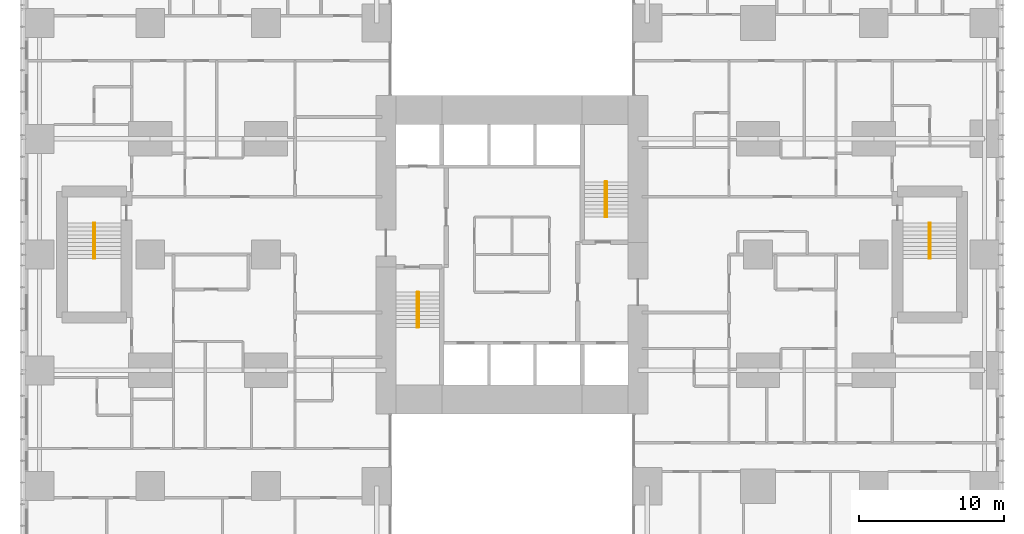
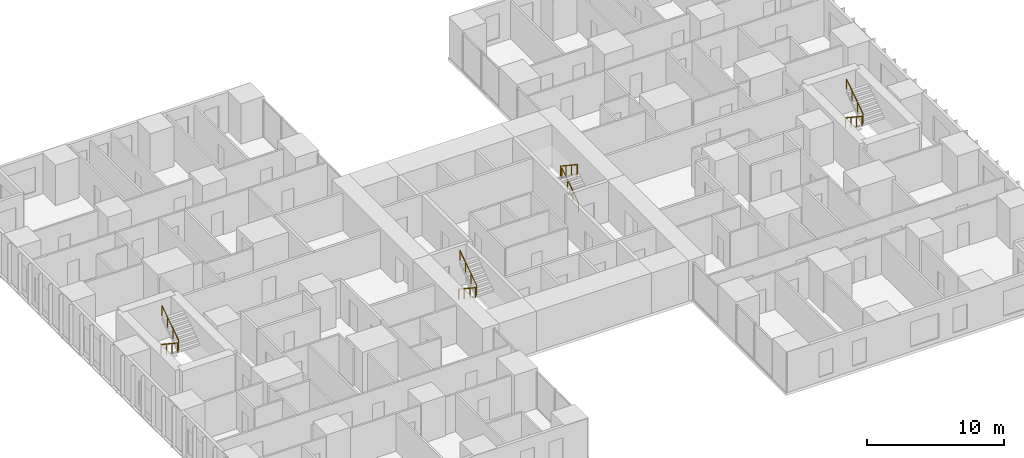
# One storey, part 20 of 20: 8 railings.
"""IFC4 building model written with IfcOpenShell, lengths in metres."""

from ifc_helpers import new_model, si_unit, direction, frame, origin, origin_2d, place, context, subcontext, project, spatial, circle, extrude, material, type_object, element, save


model = new_model("IFC4")

# Units and contexts
model_context = context("Model", 3, precision=1e-05, world=origin(), true_north=direction((0.0, 1.0)))
body_context = subcontext(model_context, "Body", "Model", "MODEL_VIEW")
ifc_project = project(units=[si_unit("LENGTHUNIT", "METRE"), si_unit("AREAUNIT", "SQUARE_METRE"), si_unit("VOLUMEUNIT", "CUBIC_METRE"), si_unit("PLANEANGLEUNIT", "RADIAN"), si_unit("MASSUNIT", "GRAM", prefix="KILO")], contexts=[model_context])

# Site, building, storey
site_placement = place(None, origin())
site = spatial("IfcSite", under=ifc_project, at=site_placement, CompositionType="ELEMENT")
building_placement = place(site_placement, origin())
building = spatial("IfcBuilding", under=site, at=building_placement, Name="Cleftline Residences", CompositionType="ELEMENT")
storey_placement = place(building_placement, frame((0.0, 0.0, 164.60009765625)))
storey = spatial("IfcBuildingStorey", under=building, at=storey_placement, Name="L43", CompositionType="ELEMENT", Elevation=164.60009765625)

# Railings
ifc_material = material(Name="Stainless steel", Category="steel")
railing_type = type_object("IfcRailingType", Name="HANDRAIL 900", PredefinedType="HANDRAIL", material=ifc_material)
railing_1_placement = place(storey_placement, frame((26.449951171875, 21.39990234375, 0.179931640625)))
element("IfcRailing", 1, at=railing_1_placement, inside=storey, type_object=railing_type, Name="Stair handrail", PredefinedType="HANDRAIL", context=body_context, shape_type="SweptSolid", body=[
    extrude(circle(Radius=0.02392578125, at=origin_2d()), frame((0.0, 0.0, 0.8759765625), z_axis=(0.0, -0.832063155534, 0.554680903946), x_axis=(1.0, 0.0, 0.0)), (0.0, 0.0, 1.0), 2.92041015625),
    extrude(circle(Radius=0.02099609375, at=origin_2d()), origin(), (0.0, 0.0, 1.0), 0.851806640625),
    extrude(circle(Radius=0.02099609375, at=origin_2d()), frame((0.0, -0.81005859375, 0.5400390625)), (0.0, 0.0, 1.0), 0.851806640625),
    extrude(circle(Radius=0.02099609375, at=origin_2d()), frame((0.0, -1.619873046875, 1.079833984375)), (0.0, 0.0, 1.0), 0.851806640625),
    extrude(circle(Radius=0.02099609375, at=origin_2d()), frame((0.0, -2.429931640625, 1.619873046875)), (0.0, 0.0, 1.0), 0.851806640625),
])
for number, where, name in (
    (2, (26.550048828125, 18.969970703125, 1.97998046875), "Stair handrail"),
    (3, (39.550048828125, 26.60009765625, 0.179931640625), "Stair handrail"),
):
    element("IfcRailing", number, at=place(storey_placement, frame(where)), inside=storey, type_object=railing_type, Name=name, PredefinedType="HANDRAIL", context=body_context, shape_type="SweptSolid", body=[
        extrude(circle(Radius=0.02392578125, at=origin_2d()), frame((0.0, 0.0, 0.8759765625), z_axis=(0.0, 0.832063155534, 0.554680903946), x_axis=(-1.0, 0.0, 0.0)), (0.0, 0.0, 1.0), 2.92041015625),
        extrude(circle(Radius=0.02099609375, at=origin_2d()), origin(), (0.0, 0.0, 1.0), 0.851806640625),
        extrude(circle(Radius=0.02099609375, at=origin_2d()), frame((0.0, 0.81005859375, 0.5400390625)), (0.0, 0.0, 1.0), 0.851806640625),
        extrude(circle(Radius=0.02099609375, at=origin_2d()), frame((0.0, 1.619873046875, 1.079833984375)), (0.0, 0.0, 1.0), 0.851806640625),
        extrude(circle(Radius=0.02099609375, at=origin_2d()), frame((0.0, 2.429931640625, 1.619873046875)), (0.0, 0.0, 1.0), 0.851806640625),
    ])
for number, where, name in (
    (4, (39.449951171875, 29.030029296875, 1.97998046875), "Stair handrail"),
    (5, (61.824951171875, 26.175048828125, 0.179931640625), "Stair handrail"),
):
    element("IfcRailing", number, at=place(storey_placement, frame(where)), inside=storey, type_object=railing_type, Name=name, PredefinedType="HANDRAIL", context=body_context, shape_type="SweptSolid", body=[
        extrude(circle(Radius=0.02392578125, at=origin_2d()), frame((0.0, 0.0, 0.8759765625), z_axis=(0.0, -0.832063155534, 0.554680903946), x_axis=(1.0, 0.0, 0.0)), (0.0, 0.0, 1.0), 2.92041015625),
        extrude(circle(Radius=0.02099609375, at=origin_2d()), origin(), (0.0, 0.0, 1.0), 0.851806640625),
        extrude(circle(Radius=0.02099609375, at=origin_2d()), frame((0.0, -0.81005859375, 0.5400390625)), (0.0, 0.0, 1.0), 0.851806640625),
        extrude(circle(Radius=0.02099609375, at=origin_2d()), frame((0.0, -1.619873046875, 1.079833984375)), (0.0, 0.0, 1.0), 0.851806640625),
        extrude(circle(Radius=0.02099609375, at=origin_2d()), frame((0.0, -2.429931640625, 1.619873046875)), (0.0, 0.0, 1.0), 0.851806640625),
    ])
railing_2_placement = place(storey_placement, frame((61.925048828125, 23.7451171875, 1.97998046875)))
element("IfcRailing", 6, at=railing_2_placement, inside=storey, type_object=railing_type, Name="Stair handrail", PredefinedType="HANDRAIL", context=body_context, shape_type="SweptSolid", body=[
    extrude(circle(Radius=0.02392578125, at=origin_2d()), frame((0.0, 0.0, 0.8759765625), z_axis=(0.0, 0.832063155534, 0.554680903946), x_axis=(-1.0, 0.0, 0.0)), (0.0, 0.0, 1.0), 2.92041015625),
    extrude(circle(Radius=0.02099609375, at=origin_2d()), origin(), (0.0, 0.0, 1.0), 0.851806640625),
    extrude(circle(Radius=0.02099609375, at=origin_2d()), frame((0.0, 0.81005859375, 0.5400390625)), (0.0, 0.0, 1.0), 0.851806640625),
    extrude(circle(Radius=0.02099609375, at=origin_2d()), frame((0.0, 1.619873046875, 1.079833984375)), (0.0, 0.0, 1.0), 0.851806640625),
    extrude(circle(Radius=0.02099609375, at=origin_2d()), frame((0.0, 2.429931640625, 1.619873046875)), (0.0, 0.0, 1.0), 0.851806640625),
])
railing_3_placement = place(storey_placement, frame((4.074951171875, 26.175048828125, 0.179931640625)))
element("IfcRailing", 7, at=railing_3_placement, inside=storey, type_object=railing_type, Name="Stair handrail", PredefinedType="HANDRAIL", context=body_context, shape_type="SweptSolid", body=[
    extrude(circle(Radius=0.02392578125, at=origin_2d()), frame((0.0, 0.0, 0.8759765625), z_axis=(0.0, -0.832063155534, 0.554680903946), x_axis=(1.0, 0.0, 0.0)), (0.0, 0.0, 1.0), 2.92041015625),
    extrude(circle(Radius=0.02099609375, at=origin_2d()), origin(), (0.0, 0.0, 1.0), 0.851806640625),
    extrude(circle(Radius=0.02099609375, at=origin_2d()), frame((0.0, -0.81005859375, 0.5400390625)), (0.0, 0.0, 1.0), 0.851806640625),
    extrude(circle(Radius=0.02099609375, at=origin_2d()), frame((0.0, -1.619873046875, 1.079833984375)), (0.0, 0.0, 1.0), 0.851806640625),
    extrude(circle(Radius=0.02099609375, at=origin_2d()), frame((0.0, -2.429931640625, 1.619873046875)), (0.0, 0.0, 1.0), 0.851806640625),
])
railing_4_placement = place(storey_placement, frame((4.175048828125, 23.7451171875, 1.97998046875)))
element("IfcRailing", 8, at=railing_4_placement, inside=storey, type_object=railing_type, Name="Stair handrail", PredefinedType="HANDRAIL", context=body_context, shape_type="SweptSolid", body=[
    extrude(circle(Radius=0.02392578125, at=origin_2d()), frame((0.0, 0.0, 0.8759765625), z_axis=(0.0, 0.832063155534, 0.554680903946), x_axis=(-1.0, 0.0, 0.0)), (0.0, 0.0, 1.0), 2.92041015625),
    extrude(circle(Radius=0.02099609375, at=origin_2d()), origin(), (0.0, 0.0, 1.0), 0.851806640625),
    extrude(circle(Radius=0.02099609375, at=origin_2d()), frame((0.0, 0.81005859375, 0.5400390625)), (0.0, 0.0, 1.0), 0.851806640625),
    extrude(circle(Radius=0.02099609375, at=origin_2d()), frame((0.0, 1.619873046875, 1.079833984375)), (0.0, 0.0, 1.0), 0.851806640625),
    extrude(circle(Radius=0.02099609375, at=origin_2d()), frame((0.0, 2.429931640625, 1.619873046875)), (0.0, 0.0, 1.0), 0.851806640625),
])

save(model, "model.ifc")
